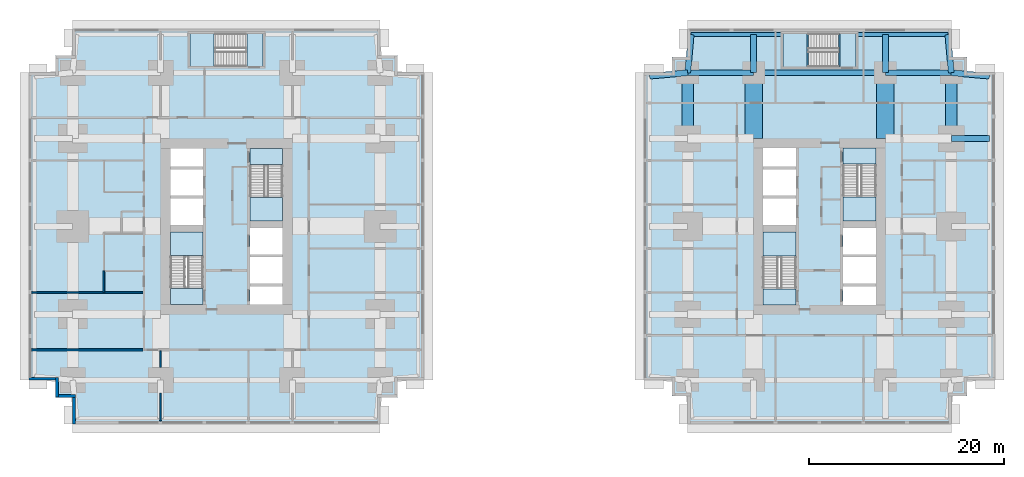
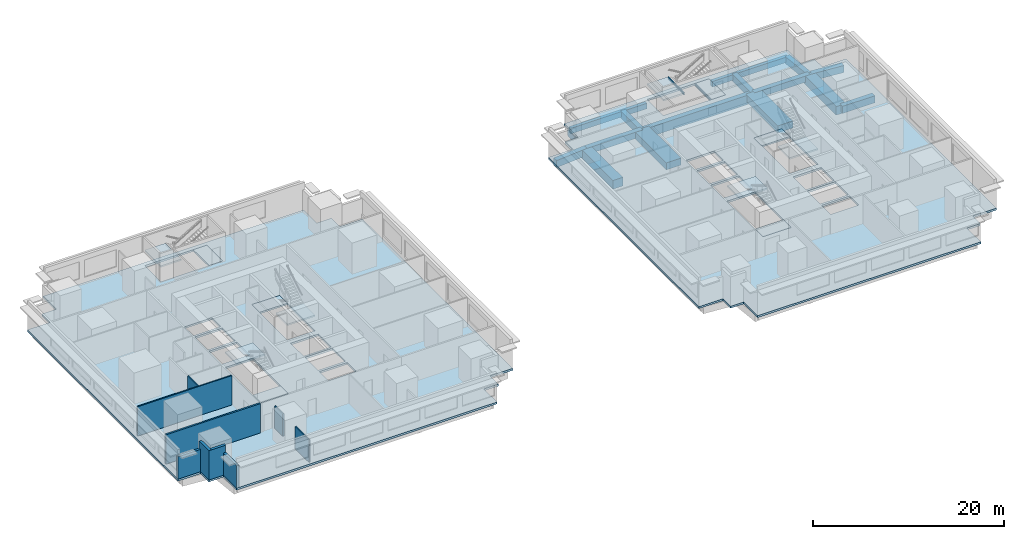
# One storey, part 2 of 11: 18 beams, 14 slabs, 9 walls, 6 elements without a shape of their own.
"""IFC4 building model written with IfcOpenShell, lengths in metres."""

from ifc_helpers import new_model, si_unit, direction, frame, frame_2d, origin, origin_2d, place, context, subcontext, project, spatial, polyline, rectangle, i_section, outline, extrude, material, layer, layer_set, material_profile, profile_set, type_object, element, aggregate, save


model = new_model("IFC4")

# Units and contexts
model_context = context("Model", 3, precision=1e-05, world=origin(), true_north=direction((0.0, 1.0)))
body_context = subcontext(model_context, "Body", "Model", "MODEL_VIEW")
ifc_project = project(units=[si_unit("LENGTHUNIT", "METRE"), si_unit("AREAUNIT", "SQUARE_METRE"), si_unit("VOLUMEUNIT", "CUBIC_METRE"), si_unit("PLANEANGLEUNIT", "RADIAN"), si_unit("MASSUNIT", "GRAM", prefix="KILO")], contexts=[model_context])

# Site, building, storey
site_placement = place(None, origin())
site = spatial("IfcSite", under=ifc_project, at=site_placement, CompositionType="ELEMENT")
building_placement = place(site_placement, origin())
building = spatial("IfcBuilding", under=site, at=building_placement, Name="Namib Vertical Campus", CompositionType="ELEMENT")
storey_placement = place(building_placement, frame((0.0, 0.0, 25.0)))
storey = spatial("IfcBuildingStorey", under=building, at=storey_placement, Name="L05", CompositionType="ELEMENT", Elevation=25.0)

# Beams
ifc_material_1 = material(Name="Concrete C40/50", Category="concrete")
ifc_material_profile_1 = material_profile(ifc_material_1, rectangle(XDim=0.60009765625, YDim=0.89990234375, at=origin_2d()))
ifc_profile_set_1 = profile_set([ifc_material_profile_1], Name="Concrete C40/50")
beam_type_1 = type_object("IfcBeamType", Name="Cantilever girder RC 600x900", PredefinedType="BEAM", material=ifc_profile_set_1)
beam_1_placement = place(storey_placement, frame((67.5, 36.0, -0.699951171875), z_axis=(0.089411326146, 0.995994786511, 0.0), x_axis=(-0.995994786511, 0.089411326146, 0.0)))
element("IfcBeam", 1, at=beam_1_placement, inside=storey, type_object=beam_type_1, Name="Beam B3 L05", PredefinedType="BEAM", context=body_context, shape_type="SweptSolid", body=[
    extrude(rectangle(XDim=0.60009765625, YDim=0.89990234375, at=origin_2d()), origin(), (0.0, 0.0, 1.0), 3.91552734375),
])
for number, where, z_axis, x_axis, name in (
    (2, (74.25, 36.0, -0.699951171875), (0.0, 1.0, 0.0), (-1.0, 0.0, 0.0), "Beam B3 L05"),
    (3, (87.75, 36.0, -0.699951171875), (0.0, 1.0, 0.0), (-1.0, 0.0, 0.0), "Beam B3 L05"),
):
    element("IfcBeam", number, at=place(storey_placement, frame(where, z_axis=z_axis, x_axis=x_axis)), inside=storey, type_object=beam_type_1, Name=name, PredefinedType="BEAM", context=body_context, shape_type="SweptSolid", body=[
        extrude(rectangle(XDim=0.60009765625, YDim=0.89990234375, at=origin_2d()), origin(), (0.0, 0.0, 1.0), 3.89990234375),
    ])
for number, where, z_axis, x_axis, name in (
    (4, (94.5, 36.0, -0.699951171875), (-0.089411326146, 0.995994786511, 0.0), (-0.995994786511, -0.089411326146, 0.0), "Beam B3 L05"),
    (5, (67.5, 36.0, -0.699951171875), (-0.995994786511, -0.089411326146, 0.0), (0.089411326146, -0.995994786511, 0.0), "Beam B3 L05"),
):
    element("IfcBeam", number, at=place(storey_placement, frame(where, z_axis=z_axis, x_axis=x_axis)), inside=storey, type_object=beam_type_1, Name=name, PredefinedType="BEAM", context=body_context, shape_type="SweptSolid", body=[
        extrude(rectangle(XDim=0.60009765625, YDim=0.89990234375, at=origin_2d()), origin(), (0.0, 0.0, 1.0), 3.91552734375),
    ])
beam_2_placement = place(storey_placement, frame((94.5, 29.25, -0.699951171875), z_axis=(1.0, 0.0, 0.0), x_axis=(0.0, 1.0, 0.0)))
element("IfcBeam", 6, at=beam_2_placement, inside=storey, type_object=beam_type_1, Name="Beam B3 L05", PredefinedType="BEAM", context=body_context, shape_type="SweptSolid", body=[
    extrude(rectangle(XDim=0.60009765625, YDim=0.89990234375, at=origin_2d()), origin(), (0.0, 0.0, 1.0), 3.89990234375),
])
beam_3_placement = place(storey_placement, frame((94.5, 36.0, -0.699951171875), z_axis=(0.995994786511, -0.089411326146, 0.0), x_axis=(0.089411326146, 0.995994786511, 0.0)))
element("IfcBeam", 7, at=beam_3_placement, inside=storey, type_object=beam_type_1, Name="Beam B3 L05", PredefinedType="BEAM", context=body_context, shape_type="SweptSolid", body=[
    extrude(rectangle(XDim=0.60009765625, YDim=0.89990234375, at=origin_2d()), origin(), (0.0, 0.0, 1.0), 3.91552734375),
])
ifc_material_2 = material(Name="Concrete C40/50", Category="concrete")
ifc_material_profile_2 = material_profile(ifc_material_2, rectangle(XDim=0.39990234375, YDim=0.699951171875, at=origin_2d()))
ifc_profile_set_2 = profile_set([ifc_material_profile_2], Name="Concrete C40/50")
beam_type_2 = type_object("IfcBeamType", Name="Edge beam RC 400x700", PredefinedType="SPANDREL", material=ifc_profile_set_2)
for number, where, z_axis, x_axis, name in (
    (8, (67.85009765625, 39.89990234375, -0.60009765625), (1.0, 0.0, 0.0), (0.0, 1.0, 0.0), "Beam B4 L05"),
    (9, (84.949951171875, 39.89990234375, -0.60009765625), (1.0, 0.0, 0.0), (0.0, 1.0, 0.0), "Beam B4 L05"),
):
    element("IfcBeam", number, at=place(storey_placement, frame(where, z_axis=z_axis, x_axis=x_axis)), inside=storey, type_object=beam_type_2, Name=name, PredefinedType="SPANDREL", context=body_context, shape_type="SweptSolid", body=[
        extrude(rectangle(XDim=0.39990234375, YDim=0.699951171875, at=origin_2d()), origin(), (0.0, 0.0, 1.0), 9.199951171875),
    ])
ifc_material_3 = material(Name="Concrete C40/50", Category="concrete")
ifc_material_profile_3 = material_profile(ifc_material_3, rectangle(XDim=1.199951171875, YDim=1.10009765625, at=origin_2d()))
ifc_profile_set_3 = profile_set([ifc_material_profile_3], Name="Concrete C40/50")
beam_type_3 = type_object("IfcBeamType", Name="Face ring beam RC 1200x1100", PredefinedType="BEAM", material=ifc_profile_set_3)
for number, where, z_axis, x_axis, name in (
    (10, (67.5, 29.25, -0.800048828125), (0.0, 1.0, 0.0), (-1.0, 0.0, 0.0), "Beam B11 L05"),
    (11, (94.5, 29.25, -0.800048828125), (0.0, 1.0, 0.0), (-1.0, 0.0, 0.0), "Beam B11 L05"),
):
    element("IfcBeam", number, at=place(storey_placement, frame(where, z_axis=z_axis, x_axis=x_axis)), inside=storey, type_object=beam_type_3, Name=name, PredefinedType="BEAM", context=body_context, shape_type="SweptSolid", body=[
        extrude(rectangle(XDim=1.199951171875, YDim=1.10009765625, at=origin_2d()), origin(), (0.0, 0.0, 1.0), 6.75),
    ])
ifc_material_4 = material(Name="Steel S355JR", Category="steel")
ifc_material_profile_4 = material_profile(ifc_material_4, i_section(OverallWidth=0.14599609375, OverallDepth=0.25146484375, WebThickness=0.006103515625, FlangeThickness=0.008544921875, FilletRadius=0.007568359375, at=origin_2d()))
ifc_profile_set_4 = profile_set([ifc_material_profile_4], Name="Steel S355JR")
beam_type_4 = type_object("IfcBeamType", Name="Landing trimmer UB 254x146x31", PredefinedType="BEAM", material=ifc_profile_set_4)
for number, where, z_axis, x_axis, name in (
    (12, (83.02294921875, 36.60009765625, -0.125732421875), (0.0, 1.0, 0.0), (-1.0, 0.0, 0.0), "Landing trimmer LT1 B-S3 L05 1"),
    (13, (79.796875, 36.60009765625, 1.874267578125), (0.0, 1.0, 0.0), (-1.0, 0.0, 0.0), "Landing trimmer LT1 B-S3 L05 2"),
):
    element("IfcBeam", number, at=place(storey_placement, frame(where, z_axis=z_axis, x_axis=x_axis)), inside=storey, type_object=beam_type_4, Name=name, PredefinedType="BEAM", context=body_context, shape_type="SweptSolid", body=[
        extrude(i_section(OverallWidth=0.14599609375, OverallDepth=0.25146484375, WebThickness=0.006103515625, FlangeThickness=0.008544921875, FilletRadius=0.007568359375, at=origin_2d()), origin(), (0.0, 0.0, 1.0), 3.39990234375),
    ])
ifc_material_5 = material(Name="Concrete C40/50", Category="concrete")
ifc_material_profile_5 = material_profile(ifc_material_5, rectangle(XDim=0.60009765625, YDim=1.199951171875, at=origin_2d()))
ifc_profile_set_5 = profile_set([ifc_material_profile_5], Name="Concrete C40/50")
beam_type_5 = type_object("IfcBeamType", Name="Long-span ring beam RC 600x1200", PredefinedType="BEAM", material=ifc_profile_set_5)
beam_4_placement = place(storey_placement, frame((74.25, 36.0, -0.85009765625), z_axis=(1.0, 0.0, 0.0), x_axis=(0.0, 1.0, 0.0)))
element("IfcBeam", 14, at=beam_4_placement, inside=storey, type_object=beam_type_5, Name="Beam B9 L05", PredefinedType="BEAM", context=body_context, shape_type="SweptSolid", body=[
    extrude(rectangle(XDim=0.60009765625, YDim=1.199951171875, at=origin_2d()), origin(), (0.0, 0.0, 1.0), 13.5),
])
ifc_material_6 = material(Name="Concrete C40/50", Category="concrete")
ifc_material_profile_6 = material_profile(ifc_material_6, rectangle(XDim=1.800048828125, YDim=0.89990234375, at=origin_2d()))
ifc_profile_set_6 = profile_set([ifc_material_profile_6], Name="Concrete C40/50")
beam_type_6 = type_object("IfcBeamType", Name="Outrigger line girder RC 1800x900", PredefinedType="BEAM", material=ifc_profile_set_6)
for number, where, z_axis, x_axis, name in (
    (15, (74.25, 36.0, -0.699951171875), (0.0, -1.0, 0.0), (1.0, 0.0, 0.0), "Beam B12 L05"),
    (16, (87.75, 36.0, -0.699951171875), (0.0, -1.0, 0.0), (1.0, 0.0, 0.0), "Beam B12 L05"),
):
    element("IfcBeam", number, at=place(storey_placement, frame(where, z_axis=z_axis, x_axis=x_axis)), inside=storey, type_object=beam_type_6, Name=name, PredefinedType="BEAM", context=body_context, shape_type="SweptSolid", body=[
        extrude(rectangle(XDim=1.800048828125, YDim=0.89990234375, at=origin_2d()), origin(), (0.0, 0.0, 1.0), 6.75),
    ])
ifc_material_7 = material(Name="Concrete C40/50", Category="concrete")
ifc_material_profile_7 = material_profile(ifc_material_7, rectangle(XDim=0.60009765625, YDim=0.800048828125, at=origin_2d()))
ifc_profile_set_7 = profile_set([ifc_material_profile_7], Name="Concrete C40/50")
beam_type_7 = type_object("IfcBeamType", Name="Ring beam RC 600x800", PredefinedType="BEAM", material=ifc_profile_set_7)
for number, where, z_axis, x_axis, name in (
    (17, (67.5, 36.0, -0.64990234375), (1.0, 0.0, 0.0), (0.0, 1.0, 0.0), "Beam B1 L05"),
    (18, (87.75, 36.0, -0.64990234375), (1.0, 0.0, 0.0), (0.0, 1.0, 0.0), "Beam B1 L05"),
):
    element("IfcBeam", number, at=place(storey_placement, frame(where, z_axis=z_axis, x_axis=x_axis)), inside=storey, type_object=beam_type_7, Name=name, PredefinedType="BEAM", context=body_context, shape_type="SweptSolid", body=[
        extrude(rectangle(XDim=0.60009765625, YDim=0.800048828125, at=origin_2d()), origin(), (0.0, 0.0, 1.0), 6.75),
    ])

# Slabs
ifc_material_8 = material(Name="Concrete C40/50", Category="concrete")
ifc_layer_1 = layer(ifc_material_8, 0.25)
ifc_layer_set_1 = layer_set([ifc_layer_1], Name="Concrete C40/50")
slab_type_1 = type_object("IfcSlabType", Name="Floor slab 250", PredefinedType="FLOOR", material=ifc_layer_set_1)
slab_1_placement = place(storey_placement, frame((0.0, 0.0, -0.25)))
element("IfcSlab", 19, at=slab_1_placement, inside=storey, type_object=slab_type_1, Name="Floor slab A L05", PredefinedType="FLOOR", context=body_context, shape_type="SweptSolid", body=[
    extrude(outline(polyline([(4.5, 0.0), (36.0, 0.0), (36.0, 2.75), (37.75, 2.75), (37.75, 4.5), (40.5, 4.5), (40.5, 36.0), (37.75, 36.0), (37.75, 37.75), (36.0, 37.75), (36.0, 40.5), (4.5, 40.5), (4.5, 37.75), (2.75, 37.75), (2.75, 36.0), (0.0, 36.0), (0.0, 4.5), (2.75, 4.5), (2.75, 2.75), (4.5, 2.75), (4.5, 0.0)]), holes=[polyline([(14.5, 12.25), (17.85009765625, 12.25), (17.85009765625, 19.699951171875), (14.5, 19.699951171875), (14.5, 12.25)]), polyline([(22.64990234375, 20.800048828125), (26.0, 20.800048828125), (26.0, 28.25), (22.64990234375, 28.25), (22.64990234375, 20.800048828125)]), polyline([(22.64990234375, 12.25), (26.0, 12.25), (26.0, 14.10009765625), (22.64990234375, 14.10009765625), (22.64990234375, 12.25)]), polyline([(14.5, 20.39990234375), (17.85009765625, 20.39990234375), (17.85009765625, 23.10009765625), (14.5, 23.10009765625), (14.5, 20.39990234375)]), polyline([(14.5, 23.39990234375), (17.85009765625, 23.39990234375), (17.85009765625, 26.10009765625), (14.5, 26.10009765625), (14.5, 23.39990234375)]), polyline([(14.5, 26.39990234375), (17.85009765625, 26.39990234375), (17.85009765625, 28.25), (14.5, 28.25), (14.5, 26.39990234375)]), polyline([(22.64990234375, 14.39990234375), (26.0, 14.39990234375), (26.0, 17.10009765625), (22.64990234375, 17.10009765625), (22.64990234375, 14.39990234375)]), polyline([(22.64990234375, 17.39990234375), (26.0, 17.39990234375), (26.0, 20.10009765625), (22.64990234375, 20.10009765625), (22.64990234375, 17.39990234375)]), polyline([(16.5, 36.64990234375), (24.0, 36.64990234375), (24.0, 40.0), (16.5, 40.0), (16.5, 36.64990234375)])]), origin(), (0.0, 0.0, 1.0), 0.25),
])
slab_2_placement = place(storey_placement, frame((0.0, 0.0, -0.25)))
element("IfcSlab", 20, at=slab_2_placement, inside=storey, type_object=slab_type_1, Name="Floor slab B L05", PredefinedType="FLOOR", context=body_context, shape_type="SweptSolid", body=[
    extrude(outline(polyline([(67.5, 0.0), (94.5, 0.0), (94.5, 2.89990234375), (96.10009765625, 2.89990234375), (96.10009765625, 4.5), (99.0, 4.5), (99.0, 36.0), (96.10009765625, 36.0), (96.10009765625, 37.60009765625), (94.5, 37.60009765625), (94.5, 40.5), (67.5, 40.5), (67.5, 37.60009765625), (65.89990234375, 37.60009765625), (65.89990234375, 36.0), (63.0, 36.0), (63.0, 4.5), (65.89990234375, 4.5), (65.89990234375, 2.89990234375), (67.5, 2.89990234375), (67.5, 0.0)]), holes=[polyline([(75.199951171875, 12.199951171875), (78.60009765625, 12.199951171875), (78.60009765625, 19.699951171875), (75.199951171875, 19.699951171875), (75.199951171875, 12.199951171875)]), polyline([(83.39990234375, 20.800048828125), (86.800048828125, 20.800048828125), (86.800048828125, 28.300048828125), (83.39990234375, 28.300048828125), (83.39990234375, 20.800048828125)]), polyline([(83.39990234375, 12.199951171875), (86.800048828125, 12.199951171875), (86.800048828125, 14.10009765625), (83.39990234375, 14.10009765625), (83.39990234375, 12.199951171875)]), polyline([(75.199951171875, 20.39990234375), (78.60009765625, 20.39990234375), (78.60009765625, 23.10009765625), (75.199951171875, 23.10009765625), (75.199951171875, 20.39990234375)]), polyline([(75.199951171875, 23.39990234375), (78.60009765625, 23.39990234375), (78.60009765625, 26.10009765625), (75.199951171875, 26.10009765625), (75.199951171875, 23.39990234375)]), polyline([(75.199951171875, 26.39990234375), (78.60009765625, 26.39990234375), (78.60009765625, 28.300048828125), (75.199951171875, 28.300048828125), (75.199951171875, 26.39990234375)]), polyline([(83.39990234375, 14.39990234375), (86.800048828125, 14.39990234375), (86.800048828125, 17.10009765625), (83.39990234375, 17.10009765625), (83.39990234375, 14.39990234375)]), polyline([(83.39990234375, 17.39990234375), (86.800048828125, 17.39990234375), (86.800048828125, 20.10009765625), (83.39990234375, 20.10009765625), (83.39990234375, 17.39990234375)]), polyline([(77.25, 36.60009765625), (84.75, 36.60009765625), (84.75, 40.0), (77.25, 40.0), (77.25, 36.60009765625)])]), origin(), (0.0, 0.0, 1.0), 0.25),
])

# Stair, slabs
ifc_material_9 = material(Name="Concrete C40/50 precast", Category="concrete")
stair_type_1 = type_object("IfcStairType", Name="Exit stair 4000 rise 24 risers 3350 wide", PredefinedType="HALF_TURN_STAIR", material=ifc_material_9)
stair_1_placement = place(storey_placement, origin())
stair_1 = element("IfcStair", 21, at=stair_1_placement, inside=storey, type_object=stair_type_1, Name="Exit stair A-S1 L05", PredefinedType="HALF_TURN_STAIR")
ifc_material_10 = material(Name="Concrete C40/50", Category="concrete")
ifc_layer_2 = layer(ifc_material_10, 0.199951171875)
ifc_layer_set_2 = layer_set([ifc_layer_2], Name="Concrete C40/50")
slab_type_2 = type_object("IfcSlabType", Name="Stair landing 200", PredefinedType="LANDING", material=ifc_layer_set_2)
slab_3_placement = place(storey_placement, frame((0.0, 0.0, -0.199951171875)))
slab_3 = element("IfcSlab", 22, at=slab_3_placement, type_object=slab_type_2, Name="A-S1 landing 1", PredefinedType="LANDING", context=body_context, shape_type="SweptSolid", body=[
    extrude(outline(polyline([(14.5, 12.25), (17.85009765625, 12.25), (17.85009765625, 13.90380859375), (14.5, 13.90380859375), (14.5, 12.25)])), origin(), (0.0, 0.0, 1.0), 0.199951171875),
])
slab_4_placement = place(storey_placement, frame((0.0, 0.0, 1.800048828125)))
slab_4 = element("IfcSlab", 23, at=slab_4_placement, type_object=slab_type_2, Name="A-S1 landing 2", PredefinedType="LANDING", context=body_context, shape_type="SweptSolid", body=[
    extrude(outline(polyline([(14.5, 17.276123046875), (17.85009765625, 17.276123046875), (17.85009765625, 19.699951171875), (14.5, 19.699951171875), (14.5, 17.276123046875)])), origin(), (0.0, 0.0, 1.0), 0.199951171875),
])
aggregate(stair_1, [slab_3, slab_4])

stair_2_placement = place(storey_placement, origin())
stair_2 = element("IfcStair", 24, at=stair_2_placement, inside=storey, type_object=stair_type_1, Name="Exit stair A-S2 L05", PredefinedType="HALF_TURN_STAIR")
slab_5_placement = place(storey_placement, frame((0.0, 0.0, -0.199951171875)))
slab_5 = element("IfcSlab", 25, at=slab_5_placement, type_object=slab_type_2, Name="A-S2 landing 1", PredefinedType="LANDING", context=body_context, shape_type="SweptSolid", body=[
    extrude(outline(polyline([(22.64990234375, 26.59619140625), (26.0, 26.59619140625), (26.0, 28.25), (22.64990234375, 28.25), (22.64990234375, 26.59619140625)])), origin(), (0.0, 0.0, 1.0), 0.199951171875),
])
slab_6_placement = place(storey_placement, frame((0.0, 0.0, 1.800048828125)))
slab_6 = element("IfcSlab", 26, at=slab_6_placement, type_object=slab_type_2, Name="A-S2 landing 2", PredefinedType="LANDING", context=body_context, shape_type="SweptSolid", body=[
    extrude(outline(polyline([(22.64990234375, 20.800048828125), (26.0, 20.800048828125), (26.0, 23.223876953125), (22.64990234375, 23.223876953125), (22.64990234375, 20.800048828125)])), origin(), (0.0, 0.0, 1.0), 0.199951171875),
])
aggregate(stair_2, [slab_5, slab_6])

ifc_material_11 = material(Name="Concrete C40/50 precast", Category="concrete")
stair_type_2 = type_object("IfcStairType", Name="Exit stair 4000 rise 24 risers 3400 wide", PredefinedType="HALF_TURN_STAIR", material=ifc_material_11)
stair_3_placement = place(storey_placement, origin())
stair_3 = element("IfcStair", 27, at=stair_3_placement, inside=storey, type_object=stair_type_2, Name="Exit stair B-S1 L05", PredefinedType="HALF_TURN_STAIR")
slab_7_placement = place(storey_placement, frame((0.0, 0.0, -0.199951171875)))
slab_7 = element("IfcSlab", 28, at=slab_7_placement, type_object=slab_type_2, Name="B-S1 landing 1", PredefinedType="LANDING", context=body_context, shape_type="SweptSolid", body=[
    extrude(outline(polyline([(75.199951171875, 12.199951171875), (78.60009765625, 12.199951171875), (78.60009765625, 13.85400390625), (75.199951171875, 13.85400390625), (75.199951171875, 12.199951171875)])), origin(), (0.0, 0.0, 1.0), 0.199951171875),
])
slab_8_placement = place(storey_placement, frame((0.0, 0.0, 1.800048828125)))
slab_8 = element("IfcSlab", 29, at=slab_8_placement, type_object=slab_type_2, Name="B-S1 landing 2", PredefinedType="LANDING", context=body_context, shape_type="SweptSolid", body=[
    extrude(outline(polyline([(75.199951171875, 17.22607421875), (78.60009765625, 17.22607421875), (78.60009765625, 19.699951171875), (75.199951171875, 19.699951171875), (75.199951171875, 17.22607421875)])), origin(), (0.0, 0.0, 1.0), 0.199951171875),
])
aggregate(stair_3, [slab_7, slab_8])

stair_4_placement = place(storey_placement, origin())
stair_4 = element("IfcStair", 30, at=stair_4_placement, inside=storey, type_object=stair_type_2, Name="Exit stair B-S2 L05", PredefinedType="HALF_TURN_STAIR")
slab_9_placement = place(storey_placement, frame((0.0, 0.0, -0.199951171875)))
slab_9 = element("IfcSlab", 31, at=slab_9_placement, type_object=slab_type_2, Name="B-S2 landing 1", PredefinedType="LANDING", context=body_context, shape_type="SweptSolid", body=[
    extrude(outline(polyline([(83.39990234375, 26.64599609375), (86.800048828125, 26.64599609375), (86.800048828125, 28.300048828125), (83.39990234375, 28.300048828125), (83.39990234375, 26.64599609375)])), origin(), (0.0, 0.0, 1.0), 0.199951171875),
])
slab_10_placement = place(storey_placement, frame((0.0, 0.0, 1.800048828125)))
slab_10 = element("IfcSlab", 32, at=slab_10_placement, type_object=slab_type_2, Name="B-S2 landing 2", PredefinedType="LANDING", context=body_context, shape_type="SweptSolid", body=[
    extrude(outline(polyline([(83.39990234375, 20.800048828125), (86.800048828125, 20.800048828125), (86.800048828125, 23.27392578125), (83.39990234375, 23.27392578125), (83.39990234375, 20.800048828125)])), origin(), (0.0, 0.0, 1.0), 0.199951171875),
])
aggregate(stair_4, [slab_9, slab_10])

stair_5_placement = place(storey_placement, origin())
stair_5 = element("IfcStair", 33, at=stair_5_placement, inside=storey, type_object=stair_type_1, Name="Exit stair A-S3 L05", PredefinedType="HALF_TURN_STAIR")
slab_11_placement = place(storey_placement, frame((0.0, 0.0, -0.199951171875)))
slab_11 = element("IfcSlab", 34, at=slab_11_placement, type_object=slab_type_2, Name="A-S3 landing 1", PredefinedType="LANDING", context=body_context, shape_type="SweptSolid", body=[
    extrude(outline(polyline([(22.34619140625, 36.64990234375), (22.34619140625, 40.0), (24.0, 40.0), (24.0, 36.64990234375), (22.34619140625, 36.64990234375)])), origin(), (0.0, 0.0, 1.0), 0.199951171875),
])
slab_12_placement = place(storey_placement, frame((0.0, 0.0, 1.800048828125)))
slab_12 = element("IfcSlab", 35, at=slab_12_placement, type_object=slab_type_2, Name="A-S3 landing 2", PredefinedType="LANDING", context=body_context, shape_type="SweptSolid", body=[
    extrude(outline(polyline([(16.5, 36.64990234375), (16.5, 40.0), (18.973876953125, 40.0), (18.973876953125, 36.64990234375), (16.5, 36.64990234375)])), origin(), (0.0, 0.0, 1.0), 0.199951171875),
])
aggregate(stair_5, [slab_11, slab_12])

stair_6_placement = place(storey_placement, origin())
stair_6 = element("IfcStair", 36, at=stair_6_placement, inside=storey, type_object=stair_type_2, Name="Exit stair B-S3 L05", PredefinedType="HALF_TURN_STAIR")
slab_13_placement = place(storey_placement, frame((0.0, 0.0, -0.199951171875)))
slab_13 = element("IfcSlab", 37, at=slab_13_placement, type_object=slab_type_2, Name="B-S3 landing 1", PredefinedType="LANDING", context=body_context, shape_type="SweptSolid", body=[
    extrude(outline(polyline([(83.09619140625, 36.60009765625), (83.09619140625, 40.0), (84.75, 40.0), (84.75, 36.60009765625), (83.09619140625, 36.60009765625)])), origin(), (0.0, 0.0, 1.0), 0.199951171875),
])
slab_14_placement = place(storey_placement, frame((0.0, 0.0, 1.800048828125)))
slab_14 = element("IfcSlab", 38, at=slab_14_placement, type_object=slab_type_2, Name="B-S3 landing 2", PredefinedType="LANDING", context=body_context, shape_type="SweptSolid", body=[
    extrude(outline(polyline([(77.25, 36.60009765625), (77.25, 40.0), (79.723876953125, 40.0), (79.723876953125, 36.60009765625), (77.25, 36.60009765625)])), origin(), (0.0, 0.0, 1.0), 0.199951171875),
])
aggregate(stair_6, [slab_13, slab_14])

# Walls
ifc_material_12 = material(Name="Concrete masonry", Category="masonry")
ifc_layer_3 = layer(ifc_material_12, 0.199951171875)
ifc_layer_set_3 = layer_set([ifc_layer_3], Name="Corridor wall 200")
wall_type_1 = type_object("IfcWallType", Name="Corridor wall 200", PredefinedType="SOLIDWALL", material=ifc_layer_set_3)
wall_1_placement = place(storey_placement, frame((0.300048828125, 7.60009765625, 0.0), z_axis=(0.0, 0.0, 1.0), x_axis=(1.0, 0.0, 0.0)))
element("IfcWall", 39, at=wall_1_placement, inside=storey, type_object=wall_type_1, Name="Partition A L05 BSW", PredefinedType="SOLIDWALL", context=body_context, shape_type="SweptSolid", body=[
    extrude(rectangle(XDim=11.39990234375, YDim=0.199951171875, at=frame_2d((5.699951171875, 0.0))), origin(), (0.0, 0.0, 1.0), 3.75),
])
ifc_material_13 = material(Name="Concrete C40/50", Category="concrete")
ifc_layer_4 = layer(ifc_material_13, 0.300048828125)
ifc_layer_set_4 = layer_set([ifc_layer_4], Name="Concrete C40/50")
wall_type_2 = type_object("IfcWallType", Name="External wall 300 board-marked concrete", PredefinedType="STANDARD", material=ifc_layer_set_4)
wall_2_placement = place(storey_placement, frame((0.02001953125, 4.64990234375, 0.0), z_axis=(0.0, 0.0, 1.0), x_axis=(1.0, 0.0, 0.0)))
element("IfcWall", 40, at=wall_2_placement, inside=storey, type_object=wall_type_2, Name="External wall L05 F17", PredefinedType="STANDARD", context=body_context, shape_type="SweptSolid", body=[
    extrude(rectangle(XDim=3.010009765625, YDim=0.300048828125, at=frame_2d((1.5048828125, 0.0))), origin(), (0.0, 0.0, 1.0), 2.85009765625),
])
for number, where, z_axis, x_axis, name in (
    (41, (2.89990234375, 4.780029296875, 0.0), (0.0, 0.0, 1.0), (0.0, -1.0, 0.0), "External wall L05 F18"),
    (42, (2.77001953125, 2.89990234375, 0.0), (0.0, 0.0, 1.0), (1.0, 0.0, 0.0), "External wall L05 F19"),
):
    element("IfcWall", number, at=place(storey_placement, frame(where, z_axis=z_axis, x_axis=x_axis)), inside=storey, type_object=wall_type_2, Name=name, PredefinedType="STANDARD", context=body_context, shape_type="SweptSolid", body=[
        extrude(rectangle(XDim=2.010009765625, YDim=0.300048828125, at=frame_2d((1.0048828125, 0.0))), origin(), (0.0, 0.0, 1.0), 3.75),
    ])
wall_3_placement = place(storey_placement, frame((4.64990234375, 3.030029296875, 0.0), z_axis=(0.0, 0.0, 1.0), x_axis=(0.0, -1.0, 0.0)))
element("IfcWall", 43, at=wall_3_placement, inside=storey, type_object=wall_type_2, Name="External wall L05 F20", PredefinedType="STANDARD", context=body_context, shape_type="SweptSolid", body=[
    extrude(rectangle(XDim=3.010009765625, YDim=0.300048828125, at=frame_2d((1.5048828125, 0.0))), origin(), (0.0, 0.0, 1.0), 2.85009765625),
])
ifc_material_14 = material(Name="Gypsum board on steel studs", Category="steel")
ifc_layer_5 = layer(ifc_material_14, 0.14990234375)
ifc_layer_set_5 = layer_set([ifc_layer_5], Name="Gypsum board on steel studs")
wall_type_3 = type_object("IfcWallType", Name="Partition 150", PredefinedType="PARTITIONING", material=ifc_layer_set_5)
wall_4_placement = place(storey_placement, frame((13.5, 0.300048828125, 0.0), z_axis=(0.0, 0.0, 1.0), x_axis=(0.0, 1.0, 0.0)))
element("IfcWall", 44, at=wall_4_placement, inside=storey, type_object=wall_type_3, Name="Partition A L05 PS1", PredefinedType="PARTITIONING", context=body_context, shape_type="SweptSolid", body=[
    extrude(rectangle(XDim=2.8798828125, YDim=0.14990234375, at=frame_2d((1.43994140625, 0.0))), origin(), (0.0, 0.0, 1.0), 2.85009765625),
])
wall_5_placement = place(storey_placement, frame((13.5, 5.820068359375, 0.0), z_axis=(0.0, 0.0, 1.0), x_axis=(0.0, 1.0, 0.0)))
element("IfcWall", 45, at=wall_5_placement, inside=storey, type_object=wall_type_3, Name="Partition A L05 PS1", PredefinedType="PARTITIONING", context=body_context, shape_type="SweptSolid", body=[
    extrude(rectangle(XDim=1.679931640625, YDim=0.14990234375, at=frame_2d((0.83984375, 0.0))), origin(), (0.0, 0.0, 1.0), 2.85009765625),
])
wall_6_placement = place(storey_placement, frame((0.300048828125, 13.5, 0.0), z_axis=(0.0, 0.0, 1.0), x_axis=(1.0, 0.0, 0.0)))
element("IfcWall", 46, at=wall_6_placement, inside=storey, type_object=wall_type_3, Name="Partition A L05 PW1", PredefinedType="PARTITIONING", context=body_context, shape_type="SweptSolid", body=[
    extrude(rectangle(XDim=11.39990234375, YDim=0.14990234375, at=frame_2d((5.699951171875, 0.0))), origin(), (0.0, 0.0, 1.0), 3.75),
])
wall_7_placement = place(storey_placement, frame((7.699951171875, 13.5, 0.0), z_axis=(0.0, 0.0, 1.0), x_axis=(0.0, 1.0, 0.0)))
element("IfcWall", 47, at=wall_7_placement, inside=storey, type_object=wall_type_3, Name="Partition A L05 WB1", PredefinedType="PARTITIONING", context=body_context, shape_type="SweptSolid", body=[
    extrude(rectangle(XDim=2.199951171875, YDim=0.14990234375, at=frame_2d((1.10009765625, 0.0))), origin(), (0.0, 0.0, 1.0), 3.75),
])

save(model, "model.ifc")
